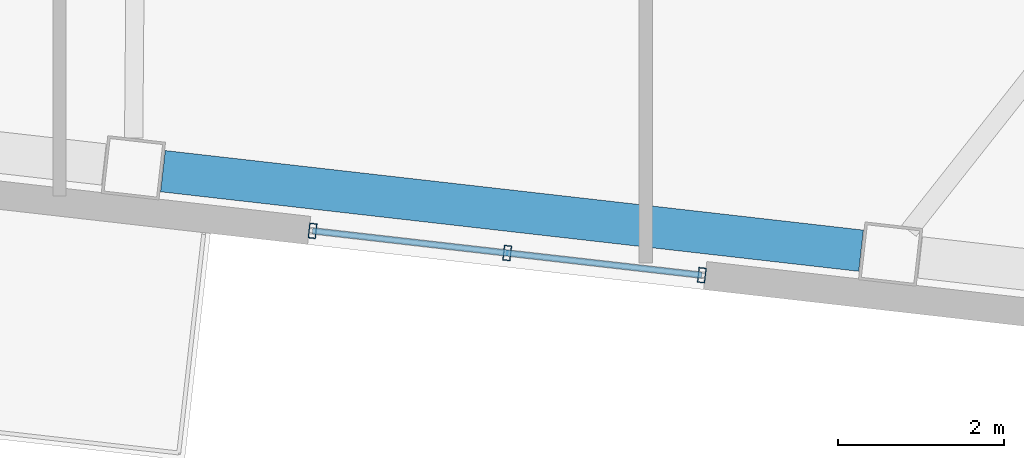
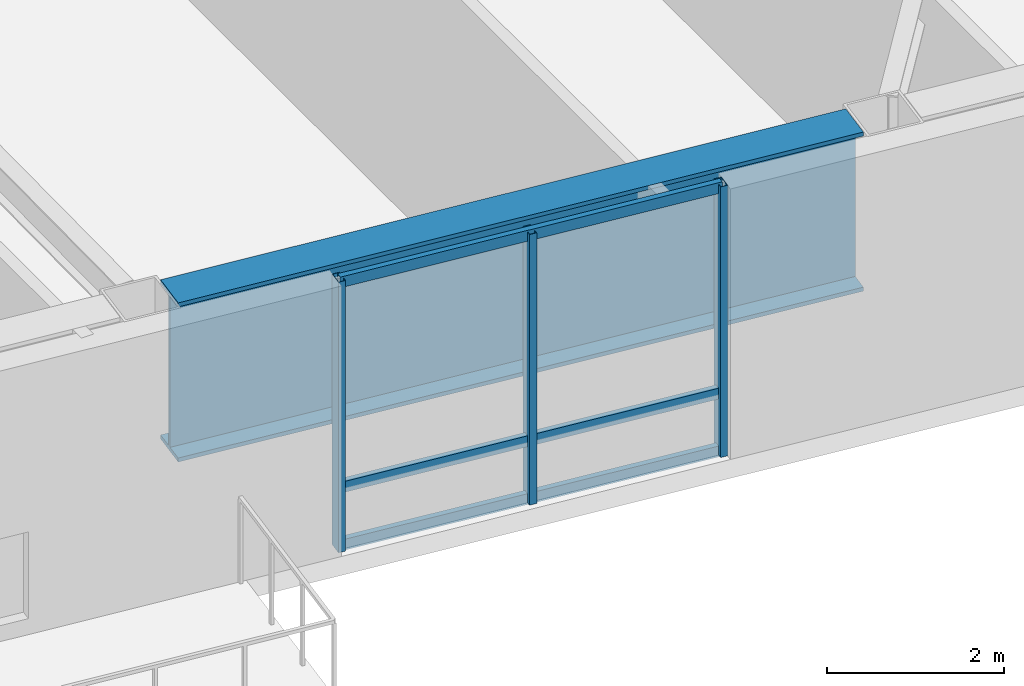
# One storey, part 4 of 21: 6 members, 1 beam, 1 element without a shape of its own.
"""IFC4 building model written with IfcOpenShell, lengths in metres."""

from ifc_helpers import new_model, si_unit, direction, frame, origin, origin_2d, place, context, subcontext, project, spatial, hollow_rectangle, i_section, extrude, material, layer, layer_set, material_profile, profile_set, type_object, element, aggregate, save


model = new_model("IFC4")

# Units and contexts
model_context = context("Model", 3, precision=1e-05, world=origin(), true_north=direction((0.0, 1.0)))
body_context = subcontext(model_context, "Body", "Model", "MODEL_VIEW")
ifc_project = project(units=[si_unit("LENGTHUNIT", "METRE"), si_unit("AREAUNIT", "SQUARE_METRE"), si_unit("VOLUMEUNIT", "CUBIC_METRE"), si_unit("PLANEANGLEUNIT", "RADIAN"), si_unit("MASSUNIT", "GRAM", prefix="KILO")], contexts=[model_context])

# Site, building, storey
site_placement = place(None, origin())
site = spatial("IfcSite", under=ifc_project, at=site_placement, CompositionType="ELEMENT")
building_placement = place(site_placement, origin())
building = spatial("IfcBuilding", under=site, at=building_placement, Name="Tavrogorsk Clinical Tower", CompositionType="ELEMENT")
storey_placement = place(building_placement, frame((0.0, 0.0, 109.39990234375)))
storey = spatial("IfcBuildingStorey", under=building, at=storey_placement, Name="L24", CompositionType="ELEMENT", Elevation=109.39990234375)

# Curtain wall, members
ifc_material_1 = material(Name="Anodised aluminium and triple IGU glazing", Category="aluminium")
ifc_layer = layer(ifc_material_1, 0.179931640625)
ifc_layer_set = layer_set([ifc_layer], Name="Anodised aluminium and triple IGU glazing")
curtain_wall_type = type_object("IfcCurtainWallType", Name="CW3_SouthSlot", PredefinedType="NOTDEFINED", material=ifc_layer_set)
curtain_wall_placement = place(storey_placement, origin())
curtain_wall = element("IfcCurtainWall", 1, at=curtain_wall_placement, inside=storey, type_object=curtain_wall_type, Name="L24 Curtain Wall CW-L24-S-SLOT-2", PredefinedType="NOTDEFINED")
ifc_material_2 = material(Name="Anodised aluminium alloy AW-6060", Category="aluminium")
ifc_material_profile_1 = material_profile(ifc_material_2, hollow_rectangle(XDim=0.090087890625, YDim=0.179931640625, WallThickness=0.00634765625, at=origin_2d()), Name="RHS-180x90x6.3")
ifc_profile_set_1 = profile_set([ifc_material_profile_1], Name="Anodised aluminium alloy AW-6060")
member_type_1 = type_object("IfcMemberType", Name="CwMullion_180x90", PredefinedType="MULLION", material=ifc_profile_set_1)
member_1_placement = place(storey_placement, frame((6.38623046875, -27.04345703125, 0.0), z_axis=(0.0, 0.0, 1.0), x_axis=(0.993571858269, -0.113203191016, 0.0)))
member_1 = element("IfcMember", 2, at=member_1_placement, type_object=member_type_1, Name="CW-L24-S-SLOT-2 Mullion 1", PredefinedType="MULLION", context=body_context, shape_type="SweptSolid", body=[
    extrude(hollow_rectangle(XDim=0.090087890625, YDim=0.179931640625, WallThickness=0.00634765625, at=origin_2d()), origin(), (0.0, 0.0, 1.0), 3.739990234375),
])
member_2_placement = place(storey_placement, frame((8.72998046875, -27.310546875, 0.0), z_axis=(0.0, 0.0, 1.0), x_axis=(0.993571858269, -0.113203191016, 0.0)))
member_2 = element("IfcMember", 3, at=member_2_placement, type_object=member_type_1, Name="CW-L24-S-SLOT-2 Mullion 2", PredefinedType="MULLION", context=body_context, shape_type="SweptSolid", body=[
    extrude(hollow_rectangle(XDim=0.090087890625, YDim=0.179931640625, WallThickness=0.00634765625, at=origin_2d()), origin(), (0.0, 0.0, 1.0), 3.739990234375),
])
member_3_placement = place(storey_placement, frame((11.07373046875, -27.57763671875, 0.0), z_axis=(0.0, 0.0, 1.0), x_axis=(0.993571858269, -0.113203191016, 0.0)))
member_3 = element("IfcMember", 4, at=member_3_placement, type_object=member_type_1, Name="CW-L24-S-SLOT-2 Mullion 3", PredefinedType="MULLION", context=body_context, shape_type="SweptSolid", body=[
    extrude(hollow_rectangle(XDim=0.090087890625, YDim=0.179931640625, WallThickness=0.00634765625, at=origin_2d()), origin(), (0.0, 0.0, 1.0), 3.739990234375),
])
ifc_material_3 = material(Name="Anodised aluminium alloy AW-6060", Category="aluminium")
ifc_material_profile_2 = material_profile(ifc_material_3, hollow_rectangle(XDim=0.074951171875, YDim=0.14990234375, WallThickness=0.0048828125, at=origin_2d()), Name="RHS-150x75x5")
ifc_profile_set_2 = profile_set([ifc_material_profile_2], Name="Anodised aluminium alloy AW-6060")
member_type_2 = type_object("IfcMemberType", Name="CwTransom_150x75", PredefinedType="USERDEFINED", material=ifc_profile_set_2)
member_4_placement = place(storey_placement, frame((6.38623046875, -27.04345703125, 0.050048828125), z_axis=(0.993569315854, -0.113225503286, 0.0), x_axis=(0.113225503286, 0.993569315854, 0.0)))
member_4 = element("IfcMember", 5, at=member_4_placement, type_object=member_type_2, Name="CW-L24-S-SLOT-2 Transom 1", ObjectType="TRANSOM", PredefinedType="USERDEFINED", context=body_context, shape_type="SweptSolid", body=[
    extrude(hollow_rectangle(XDim=0.074951171875, YDim=0.14990234375, WallThickness=0.0048828125, at=origin_2d()), origin(), (0.0, 0.0, 1.0), 4.7177734375),
])
member_5_placement = place(storey_placement, frame((6.38623046875, -27.04345703125, 0.85009765625), z_axis=(0.993569315854, -0.113225503286, 0.0), x_axis=(0.113225503286, 0.993569315854, 0.0)))
member_5 = element("IfcMember", 6, at=member_5_placement, type_object=member_type_2, Name="CW-L24-S-SLOT-2 Transom 2", ObjectType="TRANSOM", PredefinedType="USERDEFINED", context=body_context, shape_type="SweptSolid", body=[
    extrude(hollow_rectangle(XDim=0.074951171875, YDim=0.14990234375, WallThickness=0.0048828125, at=origin_2d()), origin(), (0.0, 0.0, 1.0), 4.7177734375),
])
member_6_placement = place(storey_placement, frame((6.38623046875, -27.04345703125, 3.690185546875), z_axis=(0.993569315854, -0.113225503286, 0.0), x_axis=(0.113225503286, 0.993569315854, 0.0)))
member_6 = element("IfcMember", 7, at=member_6_placement, type_object=member_type_2, Name="CW-L24-S-SLOT-2 Transom 3", ObjectType="TRANSOM", PredefinedType="USERDEFINED", context=body_context, shape_type="SweptSolid", body=[
    extrude(hollow_rectangle(XDim=0.074951171875, YDim=0.14990234375, WallThickness=0.0048828125, at=origin_2d()), origin(), (0.0, 0.0, 1.0), 4.7177734375),
])
aggregate(curtain_wall, [member_1, member_2, member_3, member_4, member_5, member_6])

# Beam
ifc_material_4 = material(Name="Structural steel S440", Category="steel")
ifc_material_profile_3 = material_profile(ifc_material_4, i_section(OverallWidth=0.5, OverallDepth=2.199951171875, WebThickness=0.035888671875, FlangeThickness=0.054931640625, at=origin_2d()), Name="DK-2200x500x36x55")
ifc_profile_set_3 = profile_set([ifc_material_profile_3], Name="Structural steel S440")
beam_type = type_object("IfcBeamType", Name="TransferGirder_DK2200", PredefinedType="USERDEFINED", material=ifc_profile_set_3)
beam_placement = place(storey_placement, frame((4.584228515625, -26.324951171875, 2.64013671875), z_axis=(0.99357306506, -0.113192598642, 0.0), x_axis=(0.113192598642, 0.99357306506, 0.0)))
element("IfcBeam", 8, at=beam_placement, inside=storey, type_object=beam_type, Name="L24 Perimeter Spandrel S5-S6", ObjectType="GIRDER", PredefinedType="USERDEFINED", context=body_context, shape_type="SweptSolid", body=[
    extrude(i_section(OverallWidth=0.5, OverallDepth=2.199951171875, WebThickness=0.035888671875, FlangeThickness=0.054931640625, at=origin_2d()), origin(), (0.0, 0.0, 1.0), 8.46142578125),
])

save(model, "model.ifc")
